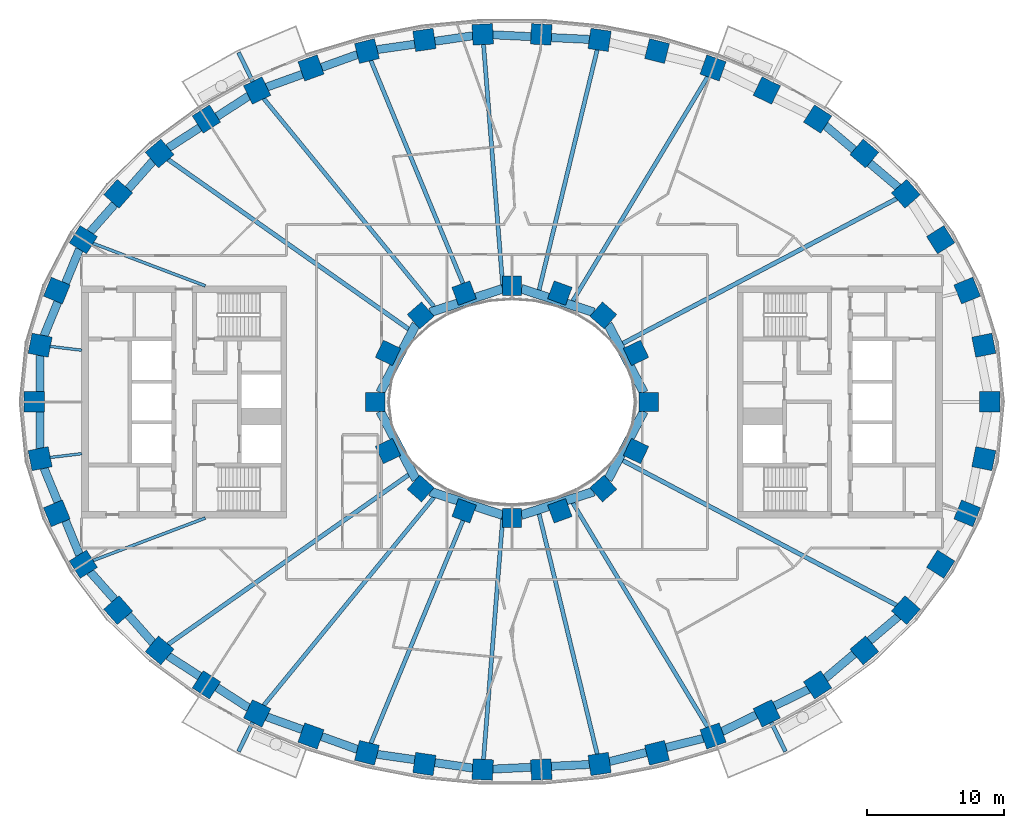
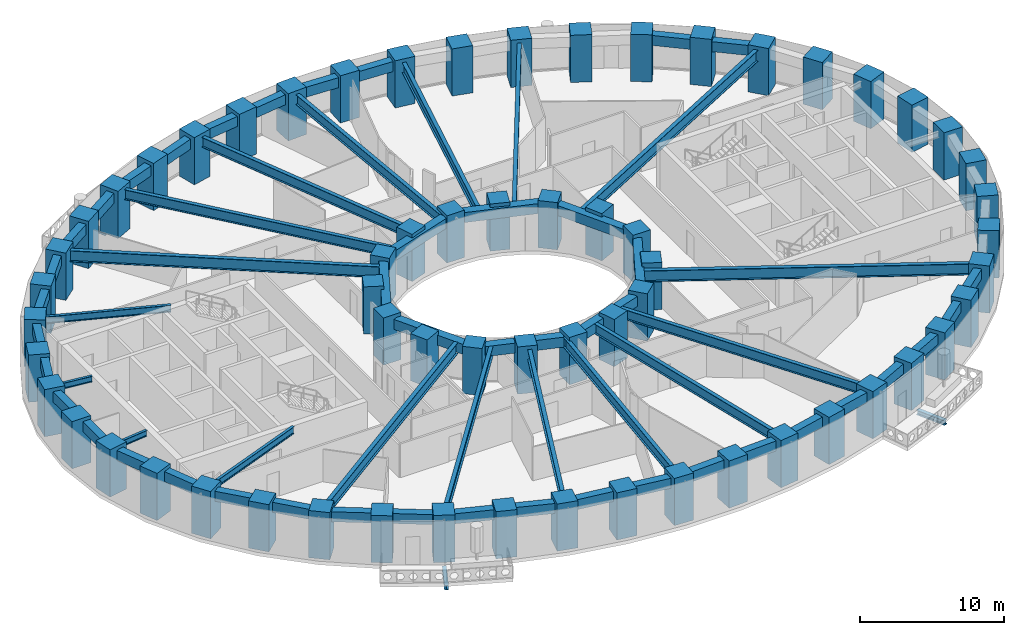
# One storey, part 1 of 15: 62 columns, 46 beams.
"""IFC4 building model written with IfcOpenShell, lengths in metres."""

from ifc_helpers import new_model, si_unit, direction, frame, origin, origin_2d, place, context, subcontext, project, spatial, rectangle, i_section, extrude, material, material_profile, profile_set, type_object, element, save


model = new_model("IFC4")

# Units and contexts
model_context = context("Model", 3, precision=1e-05, world=origin(), true_north=direction((0.0, 1.0)))
body_context = subcontext(model_context, "Body", "Model", "MODEL_VIEW")
ifc_project = project(units=[si_unit("LENGTHUNIT", "METRE"), si_unit("AREAUNIT", "SQUARE_METRE"), si_unit("VOLUMEUNIT", "CUBIC_METRE"), si_unit("PLANEANGLEUNIT", "RADIAN"), si_unit("MASSUNIT", "GRAM", prefix="KILO")], contexts=[model_context])

# Site, building, storey
site_placement = place(None, origin())
site = spatial("IfcSite", under=ifc_project, at=site_placement, CompositionType="ELEMENT")
building_placement = place(site_placement, origin())
building = spatial("IfcBuilding", under=site, at=building_placement, Name="Noorbagh Ring Tower", CompositionType="ELEMENT")
storey_placement = place(building_placement, frame((0.0, 0.0, 50.5)))
storey = spatial("IfcBuildingStorey", under=building, at=storey_placement, Name="L10", CompositionType="ELEMENT", Elevation=50.5)

# Columns
ifc_material_1 = material(Name="Concrete C70/85", Category="concrete")
ifc_material_profile_1 = material_profile(ifc_material_1, rectangle(XDim=1.5, YDim=1.5, at=origin_2d()), Name="RC1500x1500")
ifc_profile_set_1 = profile_set([ifc_material_profile_1], Name="Concrete C70/85")
column_type_1 = type_object("IfcColumnType", Name="STR-COL-RC1500x1500-C70-85", PredefinedType="COLUMN", material=ifc_profile_set_1)
for number, where, z_axis, x_axis, name in (
    (1, (34.944580078125, 0.0, 0.0), (0.0, 0.0, 1.0), (0.0, 1.0, 0.0), "L10/col/R1-01"),
    (2, (34.52685546875, 4.150634765625, 0.0), (0.0, 0.0, 1.0), (-0.19723040178, 0.9803571638, 0.0), "L10/col/R1-02"),
    (3, (33.30517578125, 8.1494140625, 0.0), (0.0, 0.0, 1.0), (-0.378989499959, 0.925400971969, 0.0), "L10/col/R1-03"),
    (4, (31.364990234375, 11.87109375, 0.0), (0.0, 0.0, 1.0), (-0.535190403059, 0.844731455833, 0.0), "L10/col/R1-04"),
    (5, (28.81884765625, 15.23046875, 0.0), (0.0, 0.0, 1.0), (-0.662635642662, 0.748941923699, 0.0), "L10/col/R1-05"),
    (6, (25.78271484375, 18.180419921875, 0.0), (0.0, 0.0, 1.0), (-0.763035199656, 0.646356932419, 0.0), "L10/col/R1-06"),
    (7, (22.362060546875, 20.699951171875, 0.0), (0.0, 0.0, 1.0), (-0.840247639643, 0.542202825586, 0.0), "L10/col/R1-07"),
    (8, (18.646240234375, 22.785400390625, 0.0), (0.0, 0.0, 1.0), (-0.898399080868, 0.439180021741, 0.0), "L10/col/R1-08"),
    (9, (14.70947265625, 24.44091796875, 0.0), (0.0, 0.0, 1.0), (-0.941024726094, 0.338337797003, 0.0), "L10/col/R1-09"),
    (10, (10.61328125, 25.673583984375, 0.0), (0.0, 0.0, 1.0), (-0.970829360981, 0.239771457553, 0.0), "L10/col/R1-10"),
    (11, (6.4091796875, 26.49072265625, 0.0), (0.0, 0.0, 1.0), (-0.989713114048, 0.143066249975, 0.0), "L10/col/R1-11"),
    (12, (2.14306640625, 26.89794921875, 0.0), (0.0, 0.0, 1.0), (-0.998868731212, 0.047552684538, 0.0), "L10/col/R1-12"),
    (13, (-2.14306640625, 26.89794921875, 0.0), (0.0, 0.0, 1.0), (-0.998868731212, -0.047552684538, 0.0), "L10/col/R1-13"),
    (14, (-6.4091796875, 26.49072265625, 0.0), (0.0, 0.0, 1.0), (-0.989713114048, -0.143066249975, 0.0), "L10/col/R1-14"),
    (15, (-10.61328125, 25.673583984375, 0.0), (0.0, 0.0, 1.0), (-0.970829360981, -0.239771457553, 0.0), "L10/col/R1-15"),
    (16, (-14.70947265625, 24.44091796875, 0.0), (0.0, 0.0, 1.0), (-0.941024726094, -0.338337797003, 0.0), "L10/col/R1-16"),
    (17, (-18.646240234375, 22.785400390625, 0.0), (0.0, 0.0, 1.0), (-0.898399080868, -0.439180021741, 0.0), "L10/col/R1-17"),
    (18, (-22.362060546875, 20.699951171875, 0.0), (0.0, 0.0, 1.0), (-0.840247639643, -0.542202825586, 0.0), "L10/col/R1-18"),
    (19, (-25.78271484375, 18.180419921875, 0.0), (0.0, 0.0, 1.0), (-0.763035199656, -0.646356932419, 0.0), "L10/col/R1-19"),
    (20, (-28.81884765625, 15.23046875, 0.0), (0.0, 0.0, 1.0), (-0.662635642662, -0.748941923699, 0.0), "L10/col/R1-20"),
    (21, (-31.364990234375, 11.87109375, 0.0), (0.0, 0.0, 1.0), (-0.535190403059, -0.844731455833, 0.0), "L10/col/R1-21"),
    (22, (-33.30517578125, 8.1494140625, 0.0), (0.0, 0.0, 1.0), (-0.378989499959, -0.925400971969, 0.0), "L10/col/R1-22"),
    (23, (-34.52685546875, 4.150634765625, 0.0), (0.0, 0.0, 1.0), (-0.19723040178, -0.9803571638, 0.0), "L10/col/R1-23"),
    (24, (-34.944580078125, 0.0, 0.0), (0.0, 0.0, 1.0), (0.0, -1.0, 0.0), "L10/col/R1-24"),
    (25, (-34.52685546875, -4.150634765625, 0.0), (0.0, 0.0, 1.0), (0.19723040178, -0.9803571638, 0.0), "L10/col/R1-25"),
    (26, (-33.30517578125, -8.1494140625, 0.0), (0.0, 0.0, 1.0), (0.378989499959, -0.925400971969, 0.0), "L10/col/R1-26"),
    (27, (-31.364990234375, -11.87109375, 0.0), (0.0, 0.0, 1.0), (0.535190403059, -0.844731455833, 0.0), "L10/col/R1-27"),
    (28, (-28.81884765625, -15.23046875, 0.0), (0.0, 0.0, 1.0), (0.662635642662, -0.748941923699, 0.0), "L10/col/R1-28"),
    (29, (-25.78271484375, -18.180419921875, 0.0), (0.0, 0.0, 1.0), (0.763035199656, -0.646356932419, 0.0), "L10/col/R1-29"),
    (30, (-22.362060546875, -20.699951171875, 0.0), (0.0, 0.0, 1.0), (0.840247639643, -0.542202825586, 0.0), "L10/col/R1-30"),
    (31, (-18.646240234375, -22.785400390625, 0.0), (0.0, 0.0, 1.0), (0.898399080868, -0.439180021741, 0.0), "L10/col/R1-31"),
    (32, (-14.70947265625, -24.44091796875, 0.0), (0.0, 0.0, 1.0), (0.941024726094, -0.338337797003, 0.0), "L10/col/R1-32"),
    (33, (-10.61328125, -25.673583984375, 0.0), (0.0, 0.0, 1.0), (0.970829360981, -0.239771457553, 0.0), "L10/col/R1-33"),
    (34, (-6.4091796875, -26.49072265625, 0.0), (0.0, 0.0, 1.0), (0.989713114048, -0.143066249975, 0.0), "L10/col/R1-34"),
    (35, (-2.14306640625, -26.89794921875, 0.0), (0.0, 0.0, 1.0), (0.998868731212, -0.047552684538, 0.0), "L10/col/R1-35"),
    (36, (2.14306640625, -26.89794921875, 0.0), (0.0, 0.0, 1.0), (0.998868731212, 0.047552684538, 0.0), "L10/col/R1-36"),
    (37, (6.4091796875, -26.49072265625, 0.0), (0.0, 0.0, 1.0), (0.989713114048, 0.143066249975, 0.0), "L10/col/R1-37"),
    (38, (10.61328125, -25.673583984375, 0.0), (0.0, 0.0, 1.0), (0.970829360981, 0.239771457553, 0.0), "L10/col/R1-38"),
    (39, (14.70947265625, -24.44091796875, 0.0), (0.0, 0.0, 1.0), (0.941024726094, 0.338337797003, 0.0), "L10/col/R1-39"),
    (40, (18.646240234375, -22.785400390625, 0.0), (0.0, 0.0, 1.0), (0.898399080868, 0.439180021741, 0.0), "L10/col/R1-40"),
    (41, (22.362060546875, -20.699951171875, 0.0), (0.0, 0.0, 1.0), (0.840247639643, 0.542202825586, 0.0), "L10/col/R1-41"),
    (42, (25.78271484375, -18.180419921875, 0.0), (0.0, 0.0, 1.0), (0.763035199656, 0.646356932419, 0.0), "L10/col/R1-42"),
    (43, (28.81884765625, -15.23046875, 0.0), (0.0, 0.0, 1.0), (0.662635642662, 0.748941923699, 0.0), "L10/col/R1-43"),
    (44, (31.364990234375, -11.87109375, 0.0), (0.0, 0.0, 1.0), (0.535190403059, 0.844731455833, 0.0), "L10/col/R1-44"),
    (45, (33.30517578125, -8.1494140625, 0.0), (0.0, 0.0, 1.0), (0.378989499959, 0.925400971969, 0.0), "L10/col/R1-45"),
    (46, (34.52685546875, -4.150634765625, 0.0), (0.0, 0.0, 1.0), (0.19723040178, 0.9803571638, 0.0), "L10/col/R1-46"),
):
    element("IfcColumn", number, at=place(storey_placement, frame(where, z_axis=z_axis, x_axis=x_axis)), inside=storey, type_object=column_type_1, Name=name, PredefinedType="COLUMN", context=body_context, shape_type="SweptSolid", body=[
        extrude(rectangle(XDim=1.5, YDim=1.5, at=origin_2d()), origin(), (0.0, 0.0, 1.0), 4.0),
    ])
ifc_material_2 = material(Name="Concrete C70/85", Category="concrete")
ifc_material_profile_2 = material_profile(ifc_material_2, rectangle(XDim=1.39990234375, YDim=1.39990234375, at=origin_2d()), Name="RC1400x1400")
ifc_profile_set_2 = profile_set([ifc_material_profile_2], Name="Concrete C70/85")
column_type_2 = type_object("IfcColumnType", Name="STR-ICOL-RC1400x1400-C70-85", PredefinedType="COLUMN", material=ifc_profile_set_2)
for number, where, z_axis, x_axis, name in (
    (47, (10.00830078125, 0.0, 0.0), (0.0, 0.0, 1.0), (0.0, 1.0, 0.0), "L10/col/IR2-W01"),
    (48, (9.07568359375, 3.58837890625, 0.0), (0.0, 0.0, 1.0), (-0.428666979171, 0.903462573087, 0.0), "L10/col/IR2-W03"),
    (49, (6.68212890625, 6.333740234375, 0.0), (0.0, 0.0, 1.0), (-0.75102249095, 0.660276622399, 0.0), "L10/col/IR2-W05"),
    (50, (3.5009765625, 7.967041015625, 0.0), (0.0, 0.0, 1.0), (-0.939019578916, 0.343863679984, 0.0), "L10/col/IR2-W07"),
    (51, (0.0, 8.5029296875, 0.0), (0.0, 0.0, 1.0), (-1.0, 0.0, 0.0), "L10/col/IR2-W09"),
    (52, (-3.5009765625, 7.967041015625, 0.0), (0.0, 0.0, 1.0), (-0.939019578916, -0.343863679984, 0.0), "L10/col/IR2-W11"),
    (53, (-6.68212890625, 6.333740234375, 0.0), (0.0, 0.0, 1.0), (-0.75102249095, -0.660276622399, 0.0), "L10/col/IR2-W13"),
    (54, (-9.07568359375, 3.58837890625, 0.0), (0.0, 0.0, 1.0), (-0.428666979171, -0.903462573087, 0.0), "L10/col/IR2-W15"),
    (55, (-10.00830078125, 0.0, 0.0), (0.0, 0.0, 1.0), (0.0, -1.0, 0.0), "L10/col/IR2-W17"),
    (56, (-9.07568359375, -3.58837890625, 0.0), (0.0, 0.0, 1.0), (0.428666979171, -0.903462573087, 0.0), "L10/col/IR2-W19"),
    (57, (-6.68212890625, -6.333740234375, 0.0), (0.0, 0.0, 1.0), (0.75102249095, -0.660276622399, 0.0), "L10/col/IR2-W21"),
    (58, (-3.5009765625, -7.967041015625, 0.0), (0.0, 0.0, 1.0), (0.939019578916, -0.343863679984, 0.0), "L10/col/IR2-W23"),
    (59, (0.0, -8.5029296875, 0.0), (0.0, 0.0, 1.0), (1.0, 0.0, 0.0), "L10/col/IR2-W25"),
    (60, (3.5009765625, -7.967041015625, 0.0), (0.0, 0.0, 1.0), (0.939019578916, 0.343863679984, 0.0), "L10/col/IR2-W27"),
    (61, (6.68212890625, -6.333740234375, 0.0), (0.0, 0.0, 1.0), (0.75102249095, 0.660276622399, 0.0), "L10/col/IR2-W29"),
    (62, (9.07568359375, -3.58837890625, 0.0), (0.0, 0.0, 1.0), (0.428666979171, 0.903462573087, 0.0), "L10/col/IR2-W31"),
):
    element("IfcColumn", number, at=place(storey_placement, frame(where, z_axis=z_axis, x_axis=x_axis)), inside=storey, type_object=column_type_2, Name=name, PredefinedType="COLUMN", context=body_context, shape_type="SweptSolid", body=[
        extrude(rectangle(XDim=1.39990234375, YDim=1.39990234375, at=origin_2d()), origin(), (0.0, 0.0, 1.0), 4.0),
    ])

# Beams
ifc_material_3 = material(Name="Steel S355", Category="steel")
ifc_material_profile_3 = material_profile(ifc_material_3, i_section(OverallWidth=0.300048828125, OverallDepth=0.39990234375, WebThickness=0.013427734375, FlangeThickness=0.02392578125, FilletRadius=0.027099609375, at=origin_2d()), Name="HEB400")
ifc_profile_set_3 = profile_set([ifc_material_profile_3], Name="Steel S355")
beam_type_1 = type_object("IfcBeamType", Name="STR-BALCONY-BRACKET-HEB400", PredefinedType="BEAM", material=ifc_profile_set_3)
for number, where, z_axis, x_axis, name in (
    (63, (-18.967041015625, 23.441162109375, -0.5), (-0.439219349849, 0.898379854359, 0.0), (-0.898379854359, -0.439219349849, 0.0), "Balcony bracket beam BN05"),
    (64, (-18.967041015625, -23.441162109375, -0.5), (-0.439219349849, -0.898379854359, 0.0), (0.898379854359, -0.439219349849, 0.0), "Balcony bracket beam BS02"),
    (65, (18.967041015625, -23.441162109375, -0.5), (0.439219349849, -0.898379854359, 0.0), (0.898379854359, 0.439219349849, 0.0), "Balcony bracket beam BS05"),
):
    element("IfcBeam", number, at=place(storey_placement, frame(where, z_axis=z_axis, x_axis=x_axis)), inside=storey, type_object=beam_type_1, Name=name, PredefinedType="BEAM", context=body_context, shape_type="SweptSolid", body=[
        extrude(i_section(OverallWidth=0.300048828125, OverallDepth=0.39990234375, WebThickness=0.013427734375, FlangeThickness=0.02392578125, FilletRadius=0.027099609375, at=origin_2d()), origin(), (0.0, 0.0, 1.0), 2.375244140625),
    ])
ifc_material_4 = material(Name="Steel S355", Category="steel")
ifc_material_profile_4 = material_profile(ifc_material_4, i_section(OverallWidth=0.199951171875, OverallDepth=0.5, WebThickness=0.01025390625, FlangeThickness=0.01611328125, FilletRadius=0.02099609375, at=origin_2d()), Name="IPE500")
ifc_profile_set_4 = profile_set([ifc_material_profile_4], Name="Steel S355")
beam_type_2 = type_object("IfcBeamType", Name="STR-RAD-IPE500", PredefinedType="BEAM", material=ifc_profile_set_4)
for number, where, z_axis, x_axis, name in (
    (66, (-33.799560546875, 4.063232421875, 3.449951171875), (0.992852090588, -0.119351272363, 0.0), (0.119351272363, 0.992852090588, 0.0), "L10/bm/RD23"),
    (67, (-33.799560546875, -4.063232421875, 3.449951171875), (0.992852090588, 0.119351272363, 0.0), (-0.119351272363, 0.992852090588, 0.0), "L10/bm/RD25"),
):
    element("IfcBeam", number, at=place(storey_placement, frame(where, z_axis=z_axis, x_axis=x_axis)), inside=storey, type_object=beam_type_2, Name=name, PredefinedType="BEAM", context=body_context, shape_type="SweptSolid", body=[
        extrude(i_section(OverallWidth=0.199951171875, OverallDepth=0.5, WebThickness=0.01025390625, FlangeThickness=0.01611328125, FilletRadius=0.02099609375, at=origin_2d()), origin(), (0.0, 0.0, 1.0), 2.3359375),
    ])
ifc_material_5 = material(Name="Steel S355", Category="steel")
ifc_material_profile_5 = material_profile(ifc_material_5, i_section(OverallWidth=0.219970703125, OverallDepth=0.60009765625, WebThickness=0.011962890625, FlangeThickness=0.01904296875, FilletRadius=0.02392578125, at=origin_2d()), Name="IPE600")
ifc_profile_set_5 = profile_set([ifc_material_profile_5], Name="Steel S355")
beam_type_3 = type_object("IfcBeamType", Name="STR-RAD-IPE600", PredefinedType="BEAM", material=ifc_profile_set_5)
for number, where, z_axis, x_axis, name in (
    (68, (-30.66748046875, 11.60693359375, 3.39990234375), (0.93525621499, -0.353971485184, 0.0), (0.353971485184, 0.93525621499, 0.0), "L10/bm/RD21"),
    (69, (-30.66748046875, -11.60693359375, 3.39990234375), (0.93525621499, 0.353971485184, 0.0), (-0.353971485184, 0.93525621499, 0.0), "L10/bm/RD27"),
):
    element("IfcBeam", number, at=place(storey_placement, frame(where, z_axis=z_axis, x_axis=x_axis)), inside=storey, type_object=beam_type_3, Name=name, PredefinedType="BEAM", context=body_context, shape_type="SweptSolid", body=[
        extrude(i_section(OverallWidth=0.219970703125, OverallDepth=0.60009765625, WebThickness=0.011962890625, FlangeThickness=0.01904296875, FilletRadius=0.02392578125, at=origin_2d()), origin(), (0.0, 0.0, 1.0), 8.79736328125),
    ])
ifc_material_6 = material(Name="Steel S355", Category="steel")
ifc_material_profile_6 = material_profile(ifc_material_6, i_section(OverallWidth=0.300048828125, OverallDepth=0.85009765625, WebThickness=0.013916015625, FlangeThickness=0.028076171875, at=origin_2d()), Name="PG850x300x14x28")
ifc_profile_set_6 = profile_set([ifc_material_profile_6], Name="Steel S355")
beam_type_4 = type_object("IfcBeamType", Name="STR-RAD-PG850x300x14x28", PredefinedType="BEAM", material=ifc_profile_set_6)
beam_1_placement = place(storey_placement, frame((14.325439453125, 23.802734375, 3.27490234375), z_axis=(-0.515656740038, -0.856795265191, 0.0), x_axis=(0.856795265191, -0.515656740038, 0.0)))
element("IfcBeam", 70, at=beam_1_placement, inside=storey, type_object=beam_type_4, Name="L10/bm/RD09", PredefinedType="BEAM", context=body_context, shape_type="SweptSolid", body=[
    extrude(i_section(OverallWidth=0.300048828125, OverallDepth=0.85009765625, WebThickness=0.013916015625, FlangeThickness=0.028076171875, at=origin_2d()), origin(), (0.0, 0.0, 1.0), 19.16552734375),
])
beam_2_placement = place(storey_placement, frame((6.23681640625, 25.778076171875, 3.27490234375), z_axis=(-0.235164261049, -0.971955642159, 0.0), x_axis=(0.971955642159, -0.235164261049, 0.0)))
element("IfcBeam", 71, at=beam_2_placement, inside=storey, type_object=beam_type_4, Name="L10/bm/RD11", PredefinedType="BEAM", context=body_context, shape_type="SweptSolid", body=[
    extrude(i_section(OverallWidth=0.300048828125, OverallDepth=0.85009765625, WebThickness=0.013916015625, FlangeThickness=0.028076171875, at=origin_2d()), origin(), (0.0, 0.0, 1.0), 18.104736328125),
])
beam_3_placement = place(storey_placement, frame((-2.085205078125, 26.169921875, 3.27490234375), z_axis=(0.079431823064, -0.996840300893, 0.0), x_axis=(0.996840300893, 0.079431823064, 0.0)))
element("IfcBeam", 72, at=beam_3_placement, inside=storey, type_object=beam_type_4, Name="L10/bm/RD13", PredefinedType="BEAM", context=body_context, shape_type="SweptSolid", body=[
    extrude(i_section(OverallWidth=0.300048828125, OverallDepth=0.85009765625, WebThickness=0.013916015625, FlangeThickness=0.028076171875, at=origin_2d()), origin(), (0.0, 0.0, 1.0), 18.05126953125),
])
beam_4_placement = place(storey_placement, frame((-10.3310546875, 24.9912109375, 3.27490234375), z_axis=(0.382027192106, -0.924151083152, 0.0), x_axis=(0.924151083152, 0.382027192106, 0.0)))
element("IfcBeam", 73, at=beam_4_placement, inside=storey, type_object=beam_type_4, Name="L10/bm/RD15", PredefinedType="BEAM", context=body_context, shape_type="SweptSolid", body=[
    extrude(i_section(OverallWidth=0.300048828125, OverallDepth=0.85009765625, WebThickness=0.013916015625, FlangeThickness=0.028076171875, at=origin_2d()), origin(), (0.0, 0.0, 1.0), 18.624267578125),
])
for number, where, z_axis, x_axis, name in (
    (74, (-18.1708984375, 22.20458984375, 3.27490234375), (0.633309388091, -0.773898713628, 0.0), (0.773898713628, 0.633309388091, 0.0), "L10/bm/RD17"),
    (75, (-18.1708984375, -22.20458984375, 3.27490234375), (0.633309388091, 0.773898713628, 0.0), (-0.773898713628, 0.633309388091, 0.0), "L10/bm/RD31"),
):
    element("IfcBeam", number, at=place(storey_placement, frame(where, z_axis=z_axis, x_axis=x_axis)), inside=storey, type_object=beam_type_4, Name=name, PredefinedType="BEAM", context=body_context, shape_type="SweptSolid", body=[
        extrude(i_section(OverallWidth=0.300048828125, OverallDepth=0.85009765625, WebThickness=0.013916015625, FlangeThickness=0.028076171875, at=origin_2d()), origin(), (0.0, 0.0, 1.0), 19.68212890625),
    ])
beam_5_placement = place(storey_placement, frame((-10.3310546875, -24.9912109375, 3.27490234375), z_axis=(0.382027192106, 0.924151083152, 0.0), x_axis=(-0.924151083152, 0.382027192106, 0.0)))
element("IfcBeam", 76, at=beam_5_placement, inside=storey, type_object=beam_type_4, Name="L10/bm/RD33", PredefinedType="BEAM", context=body_context, shape_type="SweptSolid", body=[
    extrude(i_section(OverallWidth=0.300048828125, OverallDepth=0.85009765625, WebThickness=0.013916015625, FlangeThickness=0.028076171875, at=origin_2d()), origin(), (0.0, 0.0, 1.0), 18.624267578125),
])
beam_6_placement = place(storey_placement, frame((-2.085205078125, -26.169921875, 3.27490234375), z_axis=(0.079431823064, 0.996840300893, 0.0), x_axis=(-0.996840300893, 0.079431823064, 0.0)))
element("IfcBeam", 77, at=beam_6_placement, inside=storey, type_object=beam_type_4, Name="L10/bm/RD35", PredefinedType="BEAM", context=body_context, shape_type="SweptSolid", body=[
    extrude(i_section(OverallWidth=0.300048828125, OverallDepth=0.85009765625, WebThickness=0.013916015625, FlangeThickness=0.028076171875, at=origin_2d()), origin(), (0.0, 0.0, 1.0), 18.05126953125),
])
beam_7_placement = place(storey_placement, frame((6.23681640625, -25.778076171875, 3.27490234375), z_axis=(-0.235164261049, 0.971955642159, 0.0), x_axis=(-0.971955642159, -0.235164261049, 0.0)))
element("IfcBeam", 78, at=beam_7_placement, inside=storey, type_object=beam_type_4, Name="L10/bm/RD37", PredefinedType="BEAM", context=body_context, shape_type="SweptSolid", body=[
    extrude(i_section(OverallWidth=0.300048828125, OverallDepth=0.85009765625, WebThickness=0.013916015625, FlangeThickness=0.028076171875, at=origin_2d()), origin(), (0.0, 0.0, 1.0), 18.104736328125),
])
beam_8_placement = place(storey_placement, frame((14.325439453125, -23.802734375, 3.27490234375), z_axis=(-0.515656740038, 0.856795265191, 0.0), x_axis=(-0.856795265191, -0.515656740038, 0.0)))
element("IfcBeam", 79, at=beam_8_placement, inside=storey, type_object=beam_type_4, Name="L10/bm/RD39", PredefinedType="BEAM", context=body_context, shape_type="SweptSolid", body=[
    extrude(i_section(OverallWidth=0.300048828125, OverallDepth=0.85009765625, WebThickness=0.013916015625, FlangeThickness=0.028076171875, at=origin_2d()), origin(), (0.0, 0.0, 1.0), 19.16552734375),
])
ifc_material_7 = material(Name="Steel S355", Category="steel")
ifc_material_profile_7 = material_profile(ifc_material_7, i_section(OverallWidth=0.320068359375, OverallDepth=0.949951171875, WebThickness=0.01611328125, FlangeThickness=0.030029296875, at=origin_2d()), Name="PG950x320x16x30")
ifc_profile_set_7 = profile_set([ifc_material_profile_7], Name="Steel S355")
beam_type_5 = type_object("IfcBeamType", Name="STR-RAD-PG950x320x16x30", PredefinedType="BEAM", material=ifc_profile_set_7)
beam_9_placement = place(storey_placement, frame((28.154052734375, 14.879150390625, 3.22509765625), z_axis=(-0.88412365795, -0.467252990844, 0.0), x_axis=(0.467252990844, -0.88412365795, 0.0)))
element("IfcBeam", 80, at=beam_9_placement, inside=storey, type_object=beam_type_5, Name="L10/bm/RD05", PredefinedType="BEAM", context=body_context, shape_type="SweptSolid", body=[
    extrude(i_section(OverallWidth=0.320068359375, OverallDepth=0.949951171875, WebThickness=0.01611328125, FlangeThickness=0.030029296875, at=origin_2d()), origin(), (0.0, 0.0, 1.0), 22.67822265625),
])
for number, where, z_axis, x_axis, name in (
    (81, (-25.165771484375, 17.745361328125, 3.22509765625), (0.817254439709, -0.576277000041, 0.0), (0.576277000041, 0.817254439709, 0.0), "L10/bm/RD19"),
    (82, (-25.165771484375, -17.745361328125, 3.22509765625), (0.817254439709, 0.576277000041, 0.0), (-0.576277000041, 0.817254439709, 0.0), "L10/bm/RD29"),
):
    element("IfcBeam", number, at=place(storey_placement, frame(where, z_axis=z_axis, x_axis=x_axis)), inside=storey, type_object=beam_type_5, Name=name, PredefinedType="BEAM", context=body_context, shape_type="SweptSolid", body=[
        extrude(i_section(OverallWidth=0.320068359375, OverallDepth=0.949951171875, WebThickness=0.01611328125, FlangeThickness=0.030029296875, at=origin_2d()), origin(), (0.0, 0.0, 1.0), 21.548095703125),
    ])
beam_10_placement = place(storey_placement, frame((28.154052734375, -14.879150390625, 3.22509765625), z_axis=(-0.88412365795, 0.467252990844, 0.0), x_axis=(-0.467252990844, -0.88412365795, 0.0)))
element("IfcBeam", 83, at=beam_10_placement, inside=storey, type_object=beam_type_5, Name="L10/bm/RD43", PredefinedType="BEAM", context=body_context, shape_type="SweptSolid", body=[
    extrude(i_section(OverallWidth=0.320068359375, OverallDepth=0.949951171875, WebThickness=0.01611328125, FlangeThickness=0.030029296875, at=origin_2d()), origin(), (0.0, 0.0, 1.0), 22.67822265625),
])
ifc_material_8 = material(Name="Concrete C40/50", Category="concrete")
ifc_material_profile_8 = material_profile(ifc_material_8, rectangle(XDim=0.64990234375, YDim=0.85009765625, at=origin_2d()), Name="RC650x850")
ifc_profile_set_8 = profile_set([ifc_material_profile_8], Name="Concrete C40/50")
beam_type_6 = type_object("IfcBeamType", Name="STR-RB-RC650x850-C40-50", PredefinedType="BEAM", material=ifc_profile_set_8)
beam_11_placement = place(storey_placement, frame((9.650146484375, 0.682373046875, 3.27490234375), z_axis=(-0.464950685644, 0.885336580019, 0.0), x_axis=(-0.885336580019, -0.464950685644, 0.0)))
element("IfcBeam", 84, at=beam_11_placement, inside=storey, type_object=beam_type_6, Name="L10/bm/RG01", PredefinedType="BEAM", context=body_context, shape_type="SweptSolid", body=[
    extrude(rectangle(XDim=0.64990234375, YDim=0.85009765625, at=origin_2d()), origin(), (0.0, 0.0, 1.0), 5.653564453125),
])
for number, where, z_axis, x_axis, name in (
    (85, (5.97607421875, 6.56298828125, 3.27490234375), (-0.951149054478, 0.3087320459, 0.0), (-0.3087320459, -0.951149054478, 0.0), "L10/bm/RG03"),
    (86, (-0.680908203125, 8.28173828125, 3.27490234375), (-0.951149054478, -0.3087320459, 0.0), (0.3087320459, -0.951149054478, 0.0), "L10/bm/RG05"),
):
    element("IfcBeam", number, at=place(storey_placement, frame(where, z_axis=z_axis, x_axis=x_axis)), inside=storey, type_object=beam_type_6, Name=name, PredefinedType="BEAM", context=body_context, shape_type="SweptSolid", body=[
        extrude(rectangle(XDim=0.64990234375, YDim=0.85009765625, at=origin_2d()), origin(), (0.0, 0.0, 1.0), 5.567138671875),
    ])
for number, where, z_axis, x_axis, name in (
    (87, (-7.021484375, 5.687744140625, 3.27490234375), (-0.464950685644, -0.885336580019, 0.0), (0.885336580019, -0.464950685644, 0.0), "L10/bm/RG07"),
    (88, (-9.650146484375, -0.682373046875, 3.27490234375), (0.464950685644, -0.885336580019, 0.0), (0.885336580019, 0.464950685644, 0.0), "L10/bm/RG09"),
):
    element("IfcBeam", number, at=place(storey_placement, frame(where, z_axis=z_axis, x_axis=x_axis)), inside=storey, type_object=beam_type_6, Name=name, PredefinedType="BEAM", context=body_context, shape_type="SweptSolid", body=[
        extrude(rectangle(XDim=0.64990234375, YDim=0.85009765625, at=origin_2d()), origin(), (0.0, 0.0, 1.0), 5.653564453125),
    ])
for number, where, z_axis, x_axis, name in (
    (89, (-5.97607421875, -6.56298828125, 3.27490234375), (0.951149054478, -0.3087320459, 0.0), (0.3087320459, 0.951149054478, 0.0), "L10/bm/RG11"),
    (90, (0.680908203125, -8.28173828125, 3.27490234375), (0.951149054478, 0.3087320459, 0.0), (-0.3087320459, 0.951149054478, 0.0), "L10/bm/RG13"),
):
    element("IfcBeam", number, at=place(storey_placement, frame(where, z_axis=z_axis, x_axis=x_axis)), inside=storey, type_object=beam_type_6, Name=name, PredefinedType="BEAM", context=body_context, shape_type="SweptSolid", body=[
        extrude(rectangle(XDim=0.64990234375, YDim=0.85009765625, at=origin_2d()), origin(), (0.0, 0.0, 1.0), 5.567138671875),
    ])
beam_12_placement = place(storey_placement, frame((7.021484375, -5.687744140625, 3.27490234375), z_axis=(0.464950685644, 0.885336580019, 0.0), x_axis=(-0.885336580019, 0.464950685644, 0.0)))
element("IfcBeam", 91, at=beam_12_placement, inside=storey, type_object=beam_type_6, Name="L10/bm/RG15", PredefinedType="BEAM", context=body_context, shape_type="SweptSolid", body=[
    extrude(rectangle(XDim=0.64990234375, YDim=0.85009765625, at=origin_2d()), origin(), (0.0, 0.0, 1.0), 5.653564453125),
])
ifc_material_9 = material(Name="Concrete C40/50", Category="concrete")
ifc_material_profile_9 = material_profile(ifc_material_9, rectangle(XDim=0.60009765625, YDim=0.85009765625, at=origin_2d()), Name="RC600x850")
ifc_profile_set_9 = profile_set([ifc_material_profile_9], Name="Concrete C40/50")
beam_type_7 = type_object("IfcBeamType", Name="STR-SB-RC600x850-C40-50", PredefinedType="BEAM", material=ifc_profile_set_9)
beam_13_placement = place(storey_placement, frame((28.255859375, 15.707275390625, 3.27490234375), z_axis=(-0.763024386832, 0.646369696922, 0.0), x_axis=(-0.646369696922, -0.763024386832, 0.0)))
element("IfcBeam", 92, at=beam_13_placement, inside=storey, type_object=beam_type_7, Name="L10/bm/SP05", PredefinedType="BEAM", context=body_context, shape_type="SweptSolid", body=[
    extrude(rectangle(XDim=0.60009765625, YDim=0.85009765625, at=origin_2d()), origin(), (0.0, 0.0, 1.0), 6.988037109375),
])
beam_14_placement = place(storey_placement, frame((5.676513671875, 26.525634765625, 3.27490234375), z_axis=(-0.998868682603, 0.047553705583, 0.0), x_axis=(-0.047553705583, -0.998868682603, 0.0)))
element("IfcBeam", 93, at=beam_14_placement, inside=storey, type_object=beam_type_7, Name="L10/bm/SP11", PredefinedType="BEAM", context=body_context, shape_type="SweptSolid", body=[
    extrude(rectangle(XDim=0.60009765625, YDim=0.85009765625, at=origin_2d()), origin(), (0.0, 0.0, 1.0), 7.09521484375),
])
beam_15_placement = place(storey_placement, frame((-2.869140625, 26.79296875, 3.27490234375), z_axis=(-0.989714712052, -0.14305519476, 0.0), x_axis=(0.14305519476, -0.989714712052, 0.0)))
element("IfcBeam", 94, at=beam_15_placement, inside=storey, type_object=beam_type_7, Name="L10/bm/SP13", PredefinedType="BEAM", context=body_context, shape_type="SweptSolid", body=[
    extrude(rectangle(XDim=0.60009765625, YDim=0.85009765625, at=origin_2d()), origin(), (0.0, 0.0, 1.0), 7.091064453125),
])
beam_16_placement = place(storey_placement, frame((-11.303955078125, 25.42529296875, 3.27490234375), z_axis=(-0.941024719218, -0.338337816127, 0.0), x_axis=(0.338337816127, -0.941024719218, 0.0)))
element("IfcBeam", 95, at=beam_16_placement, inside=storey, type_object=beam_type_7, Name="L10/bm/SP15", PredefinedType="BEAM", context=body_context, shape_type="SweptSolid", body=[
    extrude(rectangle(XDim=0.60009765625, YDim=0.85009765625, at=origin_2d()), origin(), (0.0, 0.0, 1.0), 7.06787109375),
])
beam_17_placement = place(storey_placement, frame((-19.26416015625, 22.38671875, 3.27490234375), z_axis=(-0.840248616013, -0.54220131251, 0.0), x_axis=(0.54220131251, -0.840248616013, 0.0)))
element("IfcBeam", 96, at=beam_17_placement, inside=storey, type_object=beam_type_7, Name="L10/bm/SP17", PredefinedType="BEAM", context=body_context, shape_type="SweptSolid", body=[
    extrude(rectangle(XDim=0.60009765625, YDim=0.85009765625, at=origin_2d()), origin(), (0.0, 0.0, 1.0), 7.021728515625),
])
beam_18_placement = place(storey_placement, frame((-26.271728515625, 17.627685546875, 3.27490234375), z_axis=(-0.662649709282, -0.748929477847, 0.0), x_axis=(0.748929477847, -0.662649709282, 0.0)))
element("IfcBeam", 97, at=beam_18_placement, inside=storey, type_object=beam_type_7, Name="L10/bm/SP19", PredefinedType="BEAM", context=body_context, shape_type="SweptSolid", body=[
    extrude(rectangle(XDim=0.60009765625, YDim=0.85009765625, at=origin_2d()), origin(), (0.0, 0.0, 1.0), 6.94677734375),
])
beam_19_placement = place(storey_placement, frame((-31.646240234375, 11.1845703125, 3.27490234375), z_axis=(-0.378965542347, -0.925410783228, 0.0), x_axis=(0.925410783228, -0.378965542347, 0.0)))
element("IfcBeam", 98, at=beam_19_placement, inside=storey, type_object=beam_type_7, Name="L10/bm/SP21", PredefinedType="BEAM", context=body_context, shape_type="SweptSolid", body=[
    extrude(rectangle(XDim=0.60009765625, YDim=0.85009765625, at=origin_2d()), origin(), (0.0, 0.0, 1.0), 6.857177734375),
])
beam_20_placement = place(storey_placement, frame((-34.52685546875, 3.40576171875, 3.27490234375), z_axis=(0.0, -1.0, 0.0), x_axis=(1.0, 0.0, 0.0)))
element("IfcBeam", 99, at=beam_20_placement, inside=storey, type_object=beam_type_7, Name="L10/bm/SP23", PredefinedType="BEAM", context=body_context, shape_type="SweptSolid", body=[
    extrude(rectangle(XDim=0.60009765625, YDim=0.85009765625, at=origin_2d()), origin(), (0.0, 0.0, 1.0), 6.8115234375),
])
beam_21_placement = place(storey_placement, frame((-34.244873046875, -4.8388671875, 3.27490234375), z_axis=(0.378965542347, -0.925410783228, 0.0), x_axis=(0.925410783228, 0.378965542347, 0.0)))
element("IfcBeam", 100, at=beam_21_placement, inside=storey, type_object=beam_type_7, Name="L10/bm/SP25", PredefinedType="BEAM", context=body_context, shape_type="SweptSolid", body=[
    extrude(rectangle(XDim=0.60009765625, YDim=0.85009765625, at=origin_2d()), origin(), (0.0, 0.0, 1.0), 6.857177734375),
])
beam_22_placement = place(storey_placement, frame((-30.875, -12.425048828125, 3.27490234375), z_axis=(0.662649709282, -0.748929477847, 0.0), x_axis=(0.748929477847, 0.662649709282, 0.0)))
element("IfcBeam", 101, at=beam_22_placement, inside=storey, type_object=beam_type_7, Name="L10/bm/SP27", PredefinedType="BEAM", context=body_context, shape_type="SweptSolid", body=[
    extrude(rectangle(XDim=0.60009765625, YDim=0.85009765625, at=origin_2d()), origin(), (0.0, 0.0, 1.0), 6.94677734375),
])
beam_23_placement = place(storey_placement, frame((-25.1640625, -18.57958984375, 3.27490234375), z_axis=(0.840248616013, -0.54220131251, 0.0), x_axis=(0.54220131251, 0.840248616013, 0.0)))
element("IfcBeam", 102, at=beam_23_placement, inside=storey, type_object=beam_type_7, Name="L10/bm/SP29", PredefinedType="BEAM", context=body_context, shape_type="SweptSolid", body=[
    extrude(rectangle(XDim=0.60009765625, YDim=0.85009765625, at=origin_2d()), origin(), (0.0, 0.0, 1.0), 7.021728515625),
])
beam_24_placement = place(storey_placement, frame((-17.955078125, -23.033935546875, 3.27490234375), z_axis=(0.941024719218, -0.338337816127, 0.0), x_axis=(0.338337816127, 0.941024719218, 0.0)))
element("IfcBeam", 103, at=beam_24_placement, inside=storey, type_object=beam_type_7, Name="L10/bm/SP31", PredefinedType="BEAM", context=body_context, shape_type="SweptSolid", body=[
    extrude(rectangle(XDim=0.60009765625, YDim=0.85009765625, at=origin_2d()), origin(), (0.0, 0.0, 1.0), 7.06787109375),
])
beam_25_placement = place(storey_placement, frame((-9.88720703125, -25.778564453125, 3.27490234375), z_axis=(0.989714712052, -0.14305519476, 0.0), x_axis=(0.14305519476, 0.989714712052, 0.0)))
element("IfcBeam", 104, at=beam_25_placement, inside=storey, type_object=beam_type_7, Name="L10/bm/SP33", PredefinedType="BEAM", context=body_context, shape_type="SweptSolid", body=[
    extrude(rectangle(XDim=0.60009765625, YDim=0.85009765625, at=origin_2d()), origin(), (0.0, 0.0, 1.0), 7.091064453125),
])
beam_26_placement = place(storey_placement, frame((-1.41064453125, -26.863037109375, 3.27490234375), z_axis=(0.998868682603, 0.047553705583, 0.0), x_axis=(-0.047553705583, 0.998868682603, 0.0)))
element("IfcBeam", 105, at=beam_26_placement, inside=storey, type_object=beam_type_7, Name="L10/bm/SP35", PredefinedType="BEAM", context=body_context, shape_type="SweptSolid", body=[
    extrude(rectangle(XDim=0.60009765625, YDim=0.85009765625, at=origin_2d()), origin(), (0.0, 0.0, 1.0), 7.09521484375),
])
beam_27_placement = place(storey_placement, frame((7.12158203125, -26.31494140625, 3.27490234375), z_axis=(0.970830070282, 0.23976858559, 0.0), x_axis=(-0.23976858559, 0.970830070282, 0.0)))
element("IfcBeam", 106, at=beam_27_placement, inside=storey, type_object=beam_type_7, Name="L10/bm/SP37", PredefinedType="BEAM", context=body_context, shape_type="SweptSolid", body=[
    extrude(rectangle(XDim=0.60009765625, YDim=0.85009765625, at=origin_2d()), origin(), (0.0, 0.0, 1.0), 7.081787109375),
])
beam_28_placement = place(storey_placement, frame((15.369384765625, -24.1181640625, 3.27490234375), z_axis=(0.898409265653, 0.439159186843, 0.0), x_axis=(-0.439159186843, 0.898409265653, 0.0)))
element("IfcBeam", 107, at=beam_28_placement, inside=storey, type_object=beam_type_7, Name="L10/bm/SP39", PredefinedType="BEAM", context=body_context, shape_type="SweptSolid", body=[
    extrude(rectangle(XDim=0.60009765625, YDim=0.85009765625, at=origin_2d()), origin(), (0.0, 0.0, 1.0), 7.048095703125),
])
beam_29_placement = place(storey_placement, frame((22.923828125, -20.22412109375, 3.27490234375), z_axis=(0.763024386832, 0.646369696922, 0.0), x_axis=(-0.646369696922, 0.763024386832, 0.0)))
element("IfcBeam", 108, at=beam_29_placement, inside=storey, type_object=beam_type_7, Name="L10/bm/SP41", PredefinedType="BEAM", context=body_context, shape_type="SweptSolid", body=[
    extrude(rectangle(XDim=0.60009765625, YDim=0.85009765625, at=origin_2d()), origin(), (0.0, 0.0, 1.0), 6.988037109375),
])

save(model, "model.ifc")
